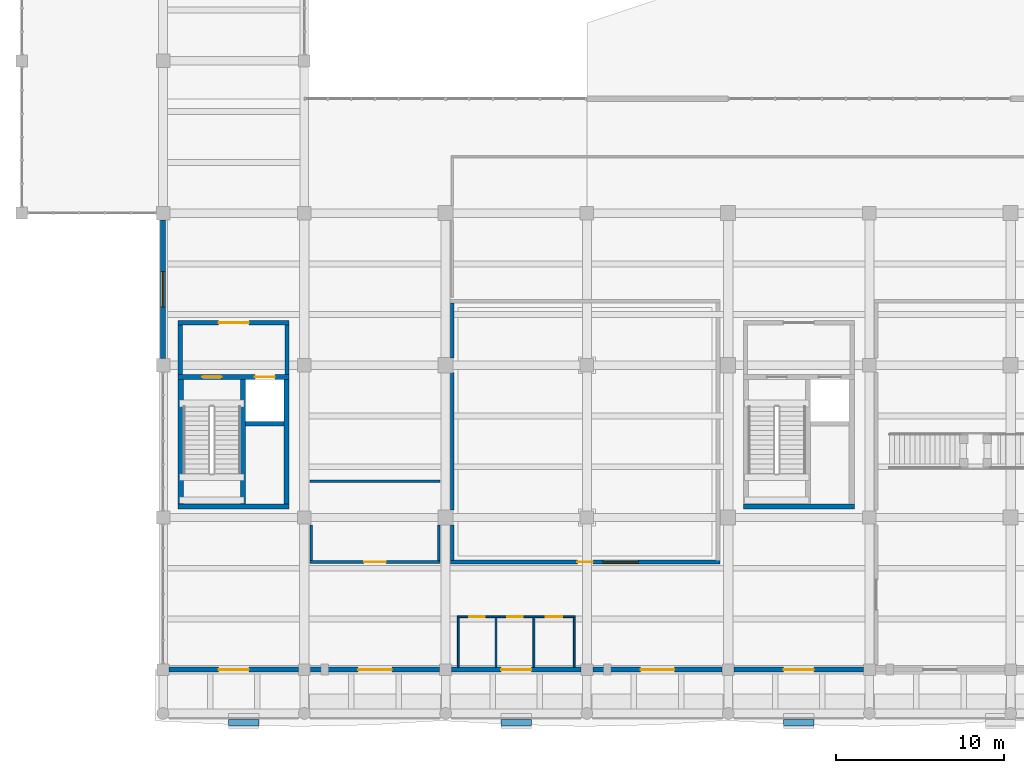
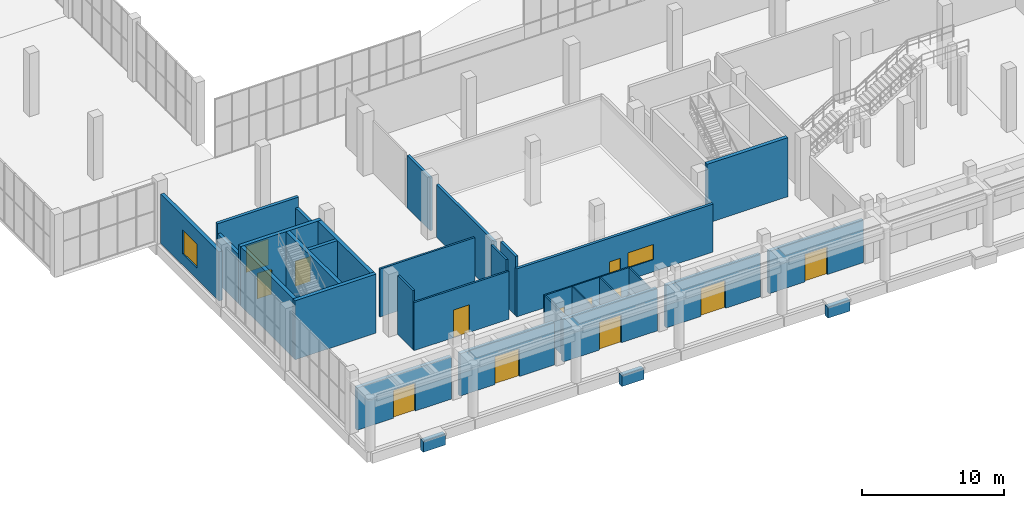
# One storey, part 76 of 91: 32 walls, 13 doors, 2 windows, 15 openings.
"""IFC4 building model written with IfcOpenShell, lengths in metres."""

from ifc_helpers import new_model, si_unit, direction, frame, frame_2d, origin, place, context, subcontext, project, spatial, rectangle, extrude, material, layer, layer_set, type_object, element, fill, save


model = new_model("IFC4")

# Units and contexts
model_context = context("Model", 3, precision=1e-05, world=origin(), true_north=direction((0.0, 1.0)))
body_context = subcontext(model_context, "Body", "Model", "MODEL_VIEW")
ifc_project = project(units=[si_unit("LENGTHUNIT", "METRE"), si_unit("AREAUNIT", "SQUARE_METRE"), si_unit("VOLUMEUNIT", "CUBIC_METRE"), si_unit("PLANEANGLEUNIT", "RADIAN"), si_unit("MASSUNIT", "GRAM", prefix="KILO")], contexts=[model_context])

# Site, building, storey
site_placement = place(None, origin())
site = spatial("IfcSite", under=ifc_project, at=site_placement, CompositionType="ELEMENT")
building_placement = place(site_placement, origin())
building = spatial("IfcBuilding", under=site, at=building_placement, Name="Khurvash Pelagic Aquarium", CompositionType="ELEMENT")
storey_placement = place(building_placement, origin())
storey = spatial("IfcBuildingStorey", under=building, at=storey_placement, Name="L00", CompositionType="ELEMENT", Elevation=0.0)

# Wall, opening, window
ifc_material_1 = material(Name="Precast concrete C40/50", Category="concrete")
ifc_layer_1 = layer(ifc_material_1, 0.300048828125)
ifc_layer_set_1 = layer_set([ifc_layer_1], Name="Precast concrete C40/50")
wall_type_1 = type_object("IfcWallType", Name="EW-300", PredefinedType="STANDARD", material=ifc_layer_set_1)
wall_1_placement = place(storey_placement, frame((25.199951171875, 29.344970703125, 0.0), z_axis=(0.0, 0.0, 1.0), x_axis=(0.0, -1.0, 0.0)))
wall_1 = element("IfcWall", 1, at=wall_1_placement, inside=storey, type_object=wall_type_1, Name="L00 Exterior Architectural Facade Wall EW-300 0003", PredefinedType="STANDARD", context=body_context, shape_type="SweptSolid", body=[
    extrude(rectangle(XDim=8.239990234375, YDim=0.300048828125, at=frame_2d((4.1201171875, 0.0))), origin(), (0.0, 0.0, 1.0), 4.239990234375),
])
opening_1_placement = place(wall_1_placement, frame((3.070068359375, 0.0, 0.949951171875)))
opening_1 = element("IfcOpeningElement", 2, at=opening_1_placement, cuts=wall_1, Name="Opening WN-04", PredefinedType="OPENING", context=body_context, shape_type="SweptSolid", body=[
    extrude(rectangle(XDim=2.10009765625, YDim=2.10009765625, at=frame_2d((1.050048828125, 1.050048828125))), frame((0.0, 0.16015625, 0.0), z_axis=(0.0, -1.0, 0.0), x_axis=(1.0, 0.0, 0.0)), (0.0, 0.0, 1.0), 0.320068359375),
])
ifc_material_2 = material(Name="Thermally broken aluminium and low-E glass", Category="aluminium")
window_type_1 = type_object("IfcWindowType", Name="WN-04", PartitioningType="SINGLE_PANEL", PredefinedType="WINDOW", material=ifc_material_2)
window_1_placement = place(opening_1_placement, origin())
window_1 = element("IfcWindow", 3, at=window_1_placement, inside=storey, type_object=window_type_1, Name="L00 Facade Window WN-04 0001", OverallHeight=2.10009765625, OverallWidth=2.10009765625, PartitioningType="SINGLE_PANEL", PredefinedType="WINDOW", context=body_context, shape_type="SweptSolid", body=[
    extrude(rectangle(XDim=2.10009765625, YDim=2.10009765625, at=frame_2d((1.050048828125, 1.050048828125))), frame((0.0, 0.030029296875, 0.0), z_axis=(0.0, -1.0, 0.0), x_axis=(1.0, 0.0, 0.0)), (0.0, 0.0, 1.0), 0.06005859375),
])
fill(opening_1, window_1)

# Wall, opening, door
wall_2_placement = place(storey_placement, frame((25.554931640625, 2.60009765625, 0.0), z_axis=(0.0, 0.0, 1.0), x_axis=(1.0, 0.0, 0.0)))
wall_2 = element("IfcWall", 4, at=wall_2_placement, inside=storey, type_object=wall_type_1, Name="L00 Exterior Architectural Facade Wall EW-300 0004", PredefinedType="STANDARD", context=body_context, shape_type="SweptSolid", body=[
    extrude(rectangle(XDim=7.690185546875, YDim=0.300048828125, at=frame_2d((3.84521484375, 0.0))), origin(), (0.0, 0.0, 1.0), 3.64990234375),
])
opening_2_placement = place(wall_2_placement, frame((2.945068359375, 0.0, 0.0)))
opening_2 = element("IfcOpeningElement", 5, at=opening_2_placement, cuts=wall_2, Name="Opening ED-01", PredefinedType="OPENING", context=body_context, shape_type="SweptSolid", body=[
    extrude(rectangle(XDim=1.800048828125, YDim=2.39990234375, at=frame_2d((0.89990234375, 1.199951171875))), frame((0.0, 0.16015625, 0.0), z_axis=(0.0, -1.0, 0.0), x_axis=(1.0, 0.0, 0.0)), (0.0, 0.0, 1.0), 0.320068359375),
])
ifc_material_3 = material(Name="Thermally broken glazed aluminium", Category="aluminium")
door_type_1 = type_object("IfcDoorType", Name="ED-01", OperationType="DOUBLE_DOOR_SINGLE_SWING", PredefinedType="DOOR", material=ifc_material_3)
door_1_placement = place(opening_2_placement, frame((1.800048828125, 0.0, 0.0), z_axis=(0.0, 0.0, 1.0), x_axis=(-1.0, 0.0, 0.0)))
door_1 = element("IfcDoor", 6, at=door_1_placement, inside=storey, type_object=door_type_1, Name="DR-0044", OperationType="DOUBLE_DOOR_SINGLE_SWING", OverallHeight=2.39990234375, OverallWidth=1.800048828125, PredefinedType="DOOR", context=body_context, shape_type="SweptSolid", body=[
    extrude(rectangle(XDim=1.800048828125, YDim=2.39990234375, at=frame_2d((0.89990234375, 1.199951171875))), frame((0.0, 0.02490234375, 0.0), z_axis=(0.0, -1.0, 0.0), x_axis=(1.0, 0.0, 0.0)), (0.0, 0.0, 1.0), 0.050048828125),
])
fill(opening_2, door_1)

wall_3_placement = place(storey_placement, frame((33.955078125, 2.60009765625, 0.0), z_axis=(0.0, 0.0, 1.0), x_axis=(1.0, 0.0, 0.0)))
wall_3 = element("IfcWall", 7, at=wall_3_placement, inside=storey, type_object=wall_type_1, Name="L00 Exterior Architectural Facade Wall EW-300 0005", PredefinedType="STANDARD", context=body_context, shape_type="SweptSolid", body=[
    extrude(rectangle(XDim=7.68994140625, YDim=0.300048828125, at=frame_2d((3.844970703125, 0.0))), origin(), (0.0, 0.0, 1.0), 3.64990234375),
])
opening_3_placement = place(wall_3_placement, frame((2.844970703125, 0.0, 0.0)))
opening_3 = element("IfcOpeningElement", 8, at=opening_3_placement, cuts=wall_3, Name="Opening ED-02", PredefinedType="OPENING", context=body_context, shape_type="SweptSolid", body=[
    extrude(rectangle(XDim=2.0, YDim=2.39990234375, at=frame_2d((1.0, 1.199951171875))), frame((0.0, 0.16015625, 0.0), z_axis=(0.0, -1.0, 0.0), x_axis=(1.0, 0.0, 0.0)), (0.0, 0.0, 1.0), 0.320068359375),
])
door_type_2 = type_object("IfcDoorType", Name="ED-02", OperationType="DOUBLE_DOOR_SINGLE_SWING", PredefinedType="DOOR", material=ifc_material_3)
door_2_placement = place(opening_3_placement, frame((2.0, 0.0, 0.0), z_axis=(0.0, 0.0, 1.0), x_axis=(-1.0, 0.0, 0.0)))
door_2 = element("IfcDoor", 9, at=door_2_placement, inside=storey, type_object=door_type_2, Name="DR-0045", OperationType="DOUBLE_DOOR_SINGLE_SWING", OverallHeight=2.39990234375, OverallWidth=2.0, PredefinedType="DOOR", context=body_context, shape_type="SweptSolid", body=[
    extrude(rectangle(XDim=2.0, YDim=2.39990234375, at=frame_2d((1.0, 1.199951171875))), frame((0.0, 0.02490234375, 0.0), z_axis=(0.0, -1.0, 0.0), x_axis=(1.0, 0.0, 0.0)), (0.0, 0.0, 1.0), 0.050048828125),
])
fill(opening_3, door_2)

wall_4_placement = place(storey_placement, frame((42.35498046875, 2.60009765625, 0.0), z_axis=(0.0, 0.0, 1.0), x_axis=(1.0, 0.0, 0.0)))
wall_4 = element("IfcWall", 10, at=wall_4_placement, inside=storey, type_object=wall_type_1, Name="L00 Exterior Architectural Facade Wall EW-300 0006", PredefinedType="STANDARD", context=body_context, shape_type="SweptSolid", body=[
    extrude(rectangle(XDim=7.68994140625, YDim=0.300048828125, at=frame_2d((3.844970703125, 0.0))), origin(), (0.0, 0.0, 1.0), 3.64990234375),
])
opening_4_placement = place(wall_4_placement, frame((2.945068359375, 0.0, 0.0)))
opening_4 = element("IfcOpeningElement", 11, at=opening_4_placement, cuts=wall_4, Name="Opening ED-01", PredefinedType="OPENING", context=body_context, shape_type="SweptSolid", body=[
    extrude(rectangle(XDim=1.800048828125, YDim=2.39990234375, at=frame_2d((0.89990234375, 1.199951171875))), frame((0.0, 0.16015625, 0.0), z_axis=(0.0, -1.0, 0.0), x_axis=(1.0, 0.0, 0.0)), (0.0, 0.0, 1.0), 0.320068359375),
])
door_3_placement = place(opening_4_placement, frame((1.800048828125, 0.0, 0.0), z_axis=(0.0, 0.0, 1.0), x_axis=(-1.0, 0.0, 0.0)))
door_3 = element("IfcDoor", 12, at=door_3_placement, inside=storey, type_object=door_type_1, Name="DR-0046", OperationType="DOUBLE_DOOR_SINGLE_SWING", OverallHeight=2.39990234375, OverallWidth=1.800048828125, PredefinedType="DOOR", context=body_context, shape_type="SweptSolid", body=[
    extrude(rectangle(XDim=1.800048828125, YDim=2.39990234375, at=frame_2d((0.89990234375, 1.199951171875))), frame((0.0, 0.02490234375, 0.0), z_axis=(0.0, -1.0, 0.0), x_axis=(1.0, 0.0, 0.0)), (0.0, 0.0, 1.0), 0.050048828125),
])
fill(opening_4, door_3)

wall_5_placement = place(storey_placement, frame((50.7548828125, 2.60009765625, 0.0), z_axis=(0.0, 0.0, 1.0), x_axis=(1.0, 0.0, 0.0)))
wall_5 = element("IfcWall", 13, at=wall_5_placement, inside=storey, type_object=wall_type_1, Name="L00 Exterior Architectural Facade Wall EW-300 0007", PredefinedType="STANDARD", context=body_context, shape_type="SweptSolid", body=[
    extrude(rectangle(XDim=7.690185546875, YDim=0.300048828125, at=frame_2d((3.84521484375, 0.0))), origin(), (0.0, 0.0, 1.0), 3.64990234375),
])
opening_5_placement = place(wall_5_placement, frame((2.844970703125, 0.0, 0.0)))
opening_5 = element("IfcOpeningElement", 14, at=opening_5_placement, cuts=wall_5, Name="Opening ED-02", PredefinedType="OPENING", context=body_context, shape_type="SweptSolid", body=[
    extrude(rectangle(XDim=2.0, YDim=2.39990234375, at=frame_2d((1.0, 1.199951171875))), frame((0.0, 0.16015625, 0.0), z_axis=(0.0, -1.0, 0.0), x_axis=(1.0, 0.0, 0.0)), (0.0, 0.0, 1.0), 0.320068359375),
])
door_4_placement = place(opening_5_placement, frame((2.0, 0.0, 0.0), z_axis=(0.0, 0.0, 1.0), x_axis=(-1.0, 0.0, 0.0)))
door_4 = element("IfcDoor", 15, at=door_4_placement, inside=storey, type_object=door_type_2, Name="DR-0047", OperationType="DOUBLE_DOOR_SINGLE_SWING", OverallHeight=2.39990234375, OverallWidth=2.0, PredefinedType="DOOR", context=body_context, shape_type="SweptSolid", body=[
    extrude(rectangle(XDim=2.0, YDim=2.39990234375, at=frame_2d((1.0, 1.199951171875))), frame((0.0, 0.02490234375, 0.0), z_axis=(0.0, -1.0, 0.0), x_axis=(1.0, 0.0, 0.0)), (0.0, 0.0, 1.0), 0.050048828125),
])
fill(opening_5, door_4)

wall_6_placement = place(storey_placement, frame((59.155029296875, 2.60009765625, 0.0), z_axis=(0.0, 0.0, 1.0), x_axis=(1.0, 0.0, 0.0)))
wall_6 = element("IfcWall", 16, at=wall_6_placement, inside=storey, type_object=wall_type_1, Name="L00 Exterior Architectural Facade Wall EW-300 0008", PredefinedType="STANDARD", context=body_context, shape_type="SweptSolid", body=[
    extrude(rectangle(XDim=7.68994140625, YDim=0.300048828125, at=frame_2d((3.844970703125, 0.0))), origin(), (0.0, 0.0, 1.0), 3.64990234375),
])
opening_6_placement = place(wall_6_placement, frame((2.945068359375, 0.0, 0.0)))
opening_6 = element("IfcOpeningElement", 17, at=opening_6_placement, cuts=wall_6, Name="Opening ED-01", PredefinedType="OPENING", context=body_context, shape_type="SweptSolid", body=[
    extrude(rectangle(XDim=1.800048828125, YDim=2.39990234375, at=frame_2d((0.89990234375, 1.199951171875))), frame((0.0, 0.16015625, 0.0), z_axis=(0.0, -1.0, 0.0), x_axis=(1.0, 0.0, 0.0)), (0.0, 0.0, 1.0), 0.320068359375),
])
door_5_placement = place(opening_6_placement, frame((1.800048828125, 0.0, 0.0), z_axis=(0.0, 0.0, 1.0), x_axis=(-1.0, 0.0, 0.0)))
door_5 = element("IfcDoor", 18, at=door_5_placement, inside=storey, type_object=door_type_1, Name="DR-0048", OperationType="DOUBLE_DOOR_SINGLE_SWING", OverallHeight=2.39990234375, OverallWidth=1.800048828125, PredefinedType="DOOR", context=body_context, shape_type="SweptSolid", body=[
    extrude(rectangle(XDim=1.800048828125, YDim=2.39990234375, at=frame_2d((0.89990234375, 1.199951171875))), frame((0.0, 0.02490234375, 0.0), z_axis=(0.0, -1.0, 0.0), x_axis=(1.0, 0.0, 0.0)), (0.0, 0.0, 1.0), 0.050048828125),
])
fill(opening_6, door_5)

# Wall, openings, doors
ifc_material_4 = material(Name="Ceramic-tiled wet-room partition", Category="masonry")
ifc_layer_2 = layer(ifc_material_4, 0.110107421875)
ifc_layer_set_2 = layer_set([ifc_layer_2], Name="Ceramic-tiled wet-room partition")
wall_type_2 = type_object("IfcWallType", Name="PW-110", PredefinedType="PARTITIONING", material=ifc_layer_set_2)
wall_7_placement = place(storey_placement, frame((42.695068359375, 5.75, 0.0), z_axis=(0.0, 0.0, 1.0), x_axis=(1.0, 0.0, 0.0)))
wall_7 = element("IfcWall", 19, at=wall_7_placement, inside=storey, type_object=wall_type_2, Name="L00 Restroom Bank Corridor Wall PW-110", PredefinedType="PARTITIONING", context=body_context, shape_type="SweptSolid", body=[
    extrude(rectangle(XDim=7.010009765625, YDim=0.110107421875, at=frame_2d((3.5048828125, 0.0))), origin(), (0.0, 0.0, 1.0), 3.64990234375),
])
opening_7_placement = place(wall_7_placement, frame((0.719970703125, 0.0, 0.0)))
opening_7 = element("IfcOpeningElement", 20, at=opening_7_placement, cuts=wall_7, Name="Opening ID-01", PredefinedType="OPENING", context=body_context, shape_type="SweptSolid", body=[
    extrude(rectangle(XDim=0.919921875, YDim=2.10009765625, at=frame_2d((0.4599609375, 1.050048828125))), frame((0.0, 0.06494140625, 0.0), z_axis=(0.0, -1.0, 0.0), x_axis=(1.0, 0.0, 0.0)), (0.0, 0.0, 1.0), 0.130126953125),
])
opening_8_placement = place(wall_7_placement, frame((2.969970703125, 0.0, 0.0)))
opening_8 = element("IfcOpeningElement", 21, at=opening_8_placement, cuts=wall_7, Name="Opening ID-01", PredefinedType="OPENING", context=body_context, shape_type="SweptSolid", body=[
    extrude(rectangle(XDim=0.919921875, YDim=2.10009765625, at=frame_2d((0.4599609375, 1.050048828125))), frame((0.0, 0.06494140625, 0.0), z_axis=(0.0, -1.0, 0.0), x_axis=(1.0, 0.0, 0.0)), (0.0, 0.0, 1.0), 0.130126953125),
])
opening_9_placement = place(wall_7_placement, frame((5.2548828125, 0.0, 0.0)))
opening_9 = element("IfcOpeningElement", 22, at=opening_9_placement, cuts=wall_7, Name="Opening ID-02", PredefinedType="OPENING", context=body_context, shape_type="SweptSolid", body=[
    extrude(rectangle(XDim=1.0, YDim=2.14990234375, at=frame_2d((0.5, 1.074951171875))), frame((0.0, 0.06494140625, 0.0), z_axis=(0.0, -1.0, 0.0), x_axis=(1.0, 0.0, 0.0)), (0.0, 0.0, 1.0), 0.130126953125),
])
ifc_material_5 = material(Name="High-pressure laminate solid-core timber", Category="wood")
door_type_3 = type_object("IfcDoorType", Name="ID-01", OperationType="NOTDEFINED", PredefinedType="DOOR", material=ifc_material_5)
door_6_placement = place(opening_7_placement, origin())
door_6 = element("IfcDoor", 23, at=door_6_placement, inside=storey, type_object=door_type_3, Name="DR-0063", OperationType="SINGLE_SWING_RIGHT", OverallHeight=2.10009765625, OverallWidth=0.919921875, PredefinedType="DOOR", context=body_context, shape_type="SweptSolid", body=[
    extrude(rectangle(XDim=0.919921875, YDim=2.10009765625, at=frame_2d((0.4599609375, 1.050048828125))), frame((0.0, 0.02490234375, 0.0), z_axis=(0.0, -1.0, 0.0), x_axis=(1.0, 0.0, 0.0)), (0.0, 0.0, 1.0), 0.050048828125),
])
fill(opening_7, door_6)
door_7_placement = place(opening_8_placement, origin())
door_7 = element("IfcDoor", 24, at=door_7_placement, inside=storey, type_object=door_type_3, Name="DR-0064", OperationType="SINGLE_SWING_LEFT", OverallHeight=2.10009765625, OverallWidth=0.919921875, PredefinedType="DOOR", context=body_context, shape_type="SweptSolid", body=[
    extrude(rectangle(XDim=0.919921875, YDim=2.10009765625, at=frame_2d((0.4599609375, 1.050048828125))), frame((0.0, 0.02490234375, 0.0), z_axis=(0.0, -1.0, 0.0), x_axis=(1.0, 0.0, 0.0)), (0.0, 0.0, 1.0), 0.050048828125),
])
fill(opening_8, door_7)
door_type_4 = type_object("IfcDoorType", Name="ID-02", OperationType="NOTDEFINED", PredefinedType="DOOR", material=ifc_material_5)
door_8_placement = place(opening_9_placement, origin())
door_8 = element("IfcDoor", 25, at=door_8_placement, inside=storey, type_object=door_type_4, Name="DR-0065", OperationType="SINGLE_SWING_RIGHT", OverallHeight=2.14990234375, OverallWidth=1.0, PredefinedType="DOOR", context=body_context, shape_type="SweptSolid", body=[
    extrude(rectangle(XDim=1.0, YDim=2.14990234375, at=frame_2d((0.5, 1.074951171875))), frame((0.0, 0.02490234375, 0.0), z_axis=(0.0, -1.0, 0.0), x_axis=(1.0, 0.0, 0.0)), (0.0, 0.0, 1.0), 0.050048828125),
])
fill(opening_9, door_8)

# Walls
for number, where, z_axis, x_axis, name in (
    (26, (42.75, 2.75, 0.0), (0.0, 0.0, 1.0), (0.0, 1.0, 0.0), "L00 Restroom Divider Partition PW-110"),
    (27, (45.0, 2.75, 0.0), (0.0, 0.0, 1.0), (0.0, 1.0, 0.0), "L00 Restroom Divider Partition PW-110"),
    (28, (47.25, 2.75, 0.0), (0.0, 0.0, 1.0), (0.0, 1.0, 0.0), "L00 Restroom Divider Partition PW-110"),
    (29, (49.64990234375, 2.75, 0.0), (0.0, 0.0, 1.0), (0.0, 1.0, 0.0), "L00 Restroom Divider Partition PW-110"),
):
    element("IfcWall", number, at=place(storey_placement, frame(where, z_axis=z_axis, x_axis=x_axis)), inside=storey, type_object=wall_type_2, Name=name, PredefinedType="PARTITIONING", context=body_context, shape_type="SweptSolid", body=[
        extrude(rectangle(XDim=2.945068359375, YDim=0.110107421875, at=frame_2d((1.47265625, 0.0))), origin(), (0.0, 0.0, 1.0), 3.64990234375),
    ])

# Wall, opening, door
ifc_material_6 = material(Name="AAC blockwork", Category="masonry")
ifc_layer_3 = layer(ifc_material_6, 0.155029296875)
ifc_layer_set_3 = layer_set([ifc_layer_3], Name="AAC blockwork")
wall_type_3 = type_object("IfcWallType", Name="PW-155", PredefinedType="PARTITIONING", material=ifc_layer_set_3)
wall_8_placement = place(storey_placement, frame((33.922119140625, 9.0, 0.0), z_axis=(0.0, 0.0, 1.0), x_axis=(1.0, 0.0, 0.0)))
wall_8 = element("IfcWall", 30, at=wall_8_placement, inside=storey, type_object=wall_type_3, Name="L00 Fire Command Centre Partition Wall PW-155", PredefinedType="PARTITIONING", context=body_context, shape_type="SweptSolid", body=[
    extrude(rectangle(XDim=7.755859375, YDim=0.155029296875, at=frame_2d((3.8779296875, 0.0))), origin(), (0.0, 0.0, 1.0), 4.139892578125),
])
opening_10_placement = place(wall_8_placement, frame((3.22802734375, 0.0, 0.0)))
opening_10 = element("IfcOpeningElement", 31, at=opening_10_placement, cuts=wall_8, Name="Opening ID-42", PredefinedType="OPENING", context=body_context, shape_type="SweptSolid", body=[
    extrude(rectangle(XDim=1.300048828125, YDim=2.3798828125, at=frame_2d((0.64990234375, 1.18994140625))), frame((0.0, 0.08740234375, 0.0), z_axis=(0.0, -1.0, 0.0), x_axis=(1.0, 0.0, 0.0)), (0.0, 0.0, 1.0), 0.175048828125),
])
ifc_material_7 = material(Name="FRP necropsy lab door", Category="wood")
door_type_5 = type_object("IfcDoorType", Name="ID-42", OperationType="NOTDEFINED", PredefinedType="DOOR", material=ifc_material_7)
door_9_placement = place(opening_10_placement, origin())
door_9 = element("IfcDoor", 32, at=door_9_placement, inside=storey, type_object=door_type_5, Name="DR-0066", OperationType="SINGLE_SWING_RIGHT", OverallHeight=2.3798828125, OverallWidth=1.300048828125, PredefinedType="DOOR", context=body_context, shape_type="SweptSolid", body=[
    extrude(rectangle(XDim=1.300048828125, YDim=2.3798828125, at=frame_2d((0.64990234375, 1.18994140625))), frame((0.0, 0.02490234375, 0.0), z_axis=(0.0, -1.0, 0.0), x_axis=(1.0, 0.0, 0.0)), (0.0, 0.0, 1.0), 0.050048828125),
])
fill(opening_10, door_9)

# Walls
wall_9_placement = place(storey_placement, frame((33.922119140625, 13.800048828125, 0.0), z_axis=(0.0, 0.0, 1.0), x_axis=(1.0, 0.0, 0.0)))
element("IfcWall", 33, at=wall_9_placement, inside=storey, type_object=wall_type_3, Name="L00 Fire Command Centre Partition Wall PW-155", PredefinedType="PARTITIONING", context=body_context, shape_type="SweptSolid", body=[
    extrude(rectangle(XDim=7.755859375, YDim=0.155029296875, at=frame_2d((3.8779296875, 0.0))), origin(), (0.0, 0.0, 1.0), 4.139892578125),
])
for number, where, z_axis, x_axis, name in (
    (34, (41.60009765625, 9.077880859375, 0.0), (0.0, 0.0, 1.0), (0.0, 1.0, 0.0), "L00 Fire Command Centre Partition Wall PW-155"),
    (35, (34.0, 9.077880859375, 0.0), (0.0, 0.0, 1.0), (0.0, 1.0, 0.0), "L00 Fire Command Centre Partition Wall PW-155"),
):
    element("IfcWall", number, at=place(storey_placement, frame(where, z_axis=z_axis, x_axis=x_axis)), inside=storey, type_object=wall_type_3, Name=name, PredefinedType="PARTITIONING", context=body_context, shape_type="SweptSolid", body=[
        extrude(rectangle(XDim=2.132080078125, YDim=0.155029296875, at=frame_2d((1.06591796875, 0.0))), origin(), (0.0, 0.0, 1.0), 5.090087890625),
    ])

# Wall, openings, door, window
ifc_layer_4 = layer(ifc_material_6, 0.215087890625)
ifc_layer_set_4 = layer_set([ifc_layer_4], Name="AAC blockwork")
wall_type_4 = type_object("IfcWallType", Name="PW-215", PredefinedType="PARTITIONING", material=ifc_layer_set_4)
wall_10_placement = place(storey_placement, frame((42.2919921875, 9.0, 0.0), z_axis=(0.0, 0.0, 1.0), x_axis=(1.0, 0.0, 0.0)))
wall_10 = element("IfcWall", 36, at=wall_10_placement, inside=storey, type_object=wall_type_4, Name="L00 Aquarium Conservation Shop Partition Wall PW-215", PredefinedType="PARTITIONING", context=body_context, shape_type="SweptSolid", body=[
    extrude(rectangle(XDim=16.01611328125, YDim=0.215087890625, at=frame_2d((8.008056640625, 0.0))), origin(), (0.0, 0.0, 1.0), 4.139892578125),
])
opening_11_placement = place(wall_10_placement, frame((7.548095703125, 0.0, 0.0)))
opening_11 = element("IfcOpeningElement", 37, at=opening_11_placement, cuts=wall_10, Name="Opening ID-01", PredefinedType="OPENING", context=body_context, shape_type="SweptSolid", body=[
    extrude(rectangle(XDim=0.919921875, YDim=2.10009765625, at=frame_2d((0.4599609375, 1.050048828125))), frame((0.0, 0.11767578125, 0.0), z_axis=(0.0, -1.0, 0.0), x_axis=(1.0, 0.0, 0.0)), (0.0, 0.0, 1.0), 0.235107421875),
])
opening_12_placement = place(wall_10_placement, frame((9.068115234375, 0.0, 1.050048828125)))
opening_12 = element("IfcOpeningElement", 38, at=opening_12_placement, cuts=wall_10, Name="Opening IW-03", PredefinedType="OPENING", context=body_context, shape_type="SweptSolid", body=[
    extrude(rectangle(XDim=2.10009765625, YDim=1.300048828125, at=frame_2d((1.050048828125, 0.64990234375))), frame((0.0, 0.11767578125, 0.0), z_axis=(0.0, -1.0, 0.0), x_axis=(1.0, 0.0, 0.0)), (0.0, 0.0, 1.0), 0.235107421875),
])
door_10_placement = place(opening_11_placement, origin())
door_10 = element("IfcDoor", 39, at=door_10_placement, inside=storey, type_object=door_type_3, Name="DR-0068", OperationType="SINGLE_SWING_LEFT", OverallHeight=2.10009765625, OverallWidth=0.919921875, PredefinedType="DOOR", context=body_context, shape_type="SweptSolid", body=[
    extrude(rectangle(XDim=0.919921875, YDim=2.10009765625, at=frame_2d((0.4599609375, 1.050048828125))), frame((0.0, 0.02490234375, 0.0), z_axis=(0.0, -1.0, 0.0), x_axis=(1.0, 0.0, 0.0)), (0.0, 0.0, 1.0), 0.050048828125),
])
fill(opening_11, door_10)
ifc_material_8 = material(Name="Acoustic laminated interior observation glazing", Category="glass")
window_type_2 = type_object("IfcWindowType", Name="IW-03", PartitioningType="SINGLE_PANEL", PredefinedType="WINDOW", material=ifc_material_8)
window_2_placement = place(opening_12_placement, origin())
window_2 = element("IfcWindow", 40, at=window_2_placement, inside=storey, type_object=window_type_2, Name="L00 Aquarium Conservation Shop Observation Window IW-03", OverallHeight=1.300048828125, OverallWidth=2.10009765625, PartitioningType="SINGLE_PANEL", PredefinedType="WINDOW", context=body_context, shape_type="SweptSolid", body=[
    extrude(rectangle(XDim=2.10009765625, YDim=1.300048828125, at=frame_2d((1.050048828125, 0.64990234375))), frame((0.0, 0.030029296875, 0.0), z_axis=(0.0, -1.0, 0.0), x_axis=(1.0, 0.0, 0.0)), (0.0, 0.0, 1.0), 0.06005859375),
])
fill(opening_12, window_2)

# Walls
wall_11_placement = place(storey_placement, frame((42.39990234375, 9.10693359375, 0.0), z_axis=(0.0, 0.0, 1.0), x_axis=(0.0, 1.0, 0.0)))
element("IfcWall", 41, at=wall_11_placement, inside=storey, type_object=wall_type_4, Name="L00 Aquarium Conservation Shop Partition Wall PW-215", PredefinedType="PARTITIONING", context=body_context, shape_type="SweptSolid", body=[
    extrude(rectangle(XDim=2.10302734375, YDim=0.215087890625, at=frame_2d((1.051513671875, 0.0))), origin(), (0.0, 0.0, 1.0), 5.090087890625),
])
wall_12_placement = place(storey_placement, frame((42.39990234375, 12.090087890625, 0.0), z_axis=(0.0, 0.0, 1.0), x_axis=(0.0, 1.0, 0.0)))
element("IfcWall", 42, at=wall_12_placement, inside=storey, type_object=wall_type_4, Name="L00 Aquarium Conservation Shop Partition Wall PW-215", PredefinedType="PARTITIONING", context=body_context, shape_type="SweptSolid", body=[
    extrude(rectangle(XDim=8.169921875, YDim=0.215087890625, at=frame_2d((4.0849609375, 0.0))), origin(), (0.0, 0.0, 1.0), 4.5400390625),
])
wall_13_placement = place(storey_placement, frame((42.39990234375, 21.139892578125, 0.0), z_axis=(0.0, 0.0, 1.0), x_axis=(0.0, 1.0, 0.0)))
element("IfcWall", 43, at=wall_13_placement, inside=storey, type_object=wall_type_4, Name="L00 Aquarium Conservation Shop Partition Wall PW-215", PredefinedType="PARTITIONING", context=body_context, shape_type="SweptSolid", body=[
    extrude(rectangle(XDim=3.252197265625, YDim=0.215087890625, at=frame_2d((1.6259765625, 0.0))), origin(), (0.0, 0.0, 1.0), 4.5400390625),
])

# Wall, opening, door
ifc_layer_5 = layer(ifc_material_6, 0.25)
ifc_layer_set_5 = layer_set([ifc_layer_5], Name="AAC blockwork")
wall_type_5 = type_object("IfcWallType", Name="PW-250", PredefinedType="PARTITIONING", material=ifc_layer_set_5)
wall_14_placement = place(storey_placement, frame((26.10009765625, 23.22509765625, 0.0), z_axis=(0.0, 0.0, 1.0), x_axis=(1.0, 0.0, 0.0)))
wall_14 = element("IfcWall", 44, at=wall_14_placement, inside=storey, type_object=wall_type_5, Name="L00 Core C1 Lobby Front Fire Wall PW-250", PredefinedType="PARTITIONING", context=body_context, shape_type="SweptSolid", body=[
    extrude(rectangle(XDim=6.599853515625, YDim=0.25, at=frame_2d((3.2998046875, 0.0))), origin(), (0.0, 0.0, 1.0), 5.090087890625),
])
opening_13_placement = place(wall_14_placement, frame((2.39990234375, 0.0, 0.0)))
opening_13 = element("IfcOpeningElement", 45, at=opening_13_placement, cuts=wall_14, Name="Opening FD-02", PredefinedType="OPENING", context=body_context, shape_type="SweptSolid", body=[
    extrude(rectangle(XDim=1.800048828125, YDim=2.25, at=frame_2d((0.89990234375, 1.125))), frame((0.0, 0.135009765625, 0.0), z_axis=(0.0, -1.0, 0.0), x_axis=(1.0, 0.0, 0.0)), (0.0, 0.0, 1.0), 0.27001953125),
])
ifc_material_9 = material(Name="Galvanised steel double fire door", Category="steel")
door_type_6 = type_object("IfcDoorType", Name="FD-02", OperationType="DOUBLE_DOOR_SINGLE_SWING", PredefinedType="DOOR", material=ifc_material_9)
door_11_placement = place(opening_13_placement, origin())
door_11 = element("IfcDoor", 46, at=door_11_placement, inside=storey, type_object=door_type_6, Name="DR-0084", OperationType="DOUBLE_DOOR_SINGLE_SWING", OverallHeight=2.25, OverallWidth=1.800048828125, PredefinedType="DOOR", context=body_context, shape_type="SweptSolid", body=[
    extrude(rectangle(XDim=1.800048828125, YDim=2.25, at=frame_2d((0.89990234375, 1.125))), frame((0.0, 0.02490234375, 0.0), z_axis=(0.0, -1.0, 0.0), x_axis=(1.0, 0.0, 0.0)), (0.0, 0.0, 1.0), 0.050048828125),
])
fill(opening_13, door_11)

# Walls
for number, where, z_axis, x_axis, name in (
    (47, (26.22509765625, 20.14990234375, 0.0), (0.0, 0.0, 1.0), (0.0, 1.0, 0.0), "L00 Core C1 Lobby West Fire Wall PW-250"),
    (48, (32.574951171875, 20.14990234375, 0.0), (0.0, 0.0, 1.0), (0.0, 1.0, 0.0), "L00 Core C1 Lobby East Fire Wall PW-250"),
):
    element("IfcWall", number, at=place(storey_placement, frame(where, z_axis=z_axis, x_axis=x_axis)), inside=storey, type_object=wall_type_5, Name=name, PredefinedType="PARTITIONING", context=body_context, shape_type="SweptSolid", body=[
        extrude(rectangle(XDim=2.9501953125, YDim=0.25, at=frame_2d((1.47509765625, 0.0))), origin(), (0.0, 0.0, 1.0), 4.22998046875),
    ])
ifc_material_10 = material(Name="Concrete C40/50", Category="concrete")
ifc_layer_6 = layer(ifc_material_10, 0.27490234375)
ifc_layer_set_6 = layer_set([ifc_layer_6], Name="Concrete C40/50")
wall_type_6 = type_object("IfcWallType", Name="SW-275", PredefinedType="SHEAR", material=ifc_layer_set_6)
wall_15_placement = place(storey_placement, frame((30.10009765625, 17.212890625, 0.0), z_axis=(0.0, 0.0, 1.0), x_axis=(1.0, 0.0, 0.0)))
element("IfcWall", 49, at=wall_15_placement, inside=storey, type_object=wall_type_6, Name="L00 Lift FL-01 Shaft Rear Shear Wall SW-275", PredefinedType="SHEAR", context=body_context, shape_type="SweptSolid", body=[
    extrude(rectangle(XDim=2.2998046875, YDim=0.27490234375, at=frame_2d((1.14990234375, 0.0))), origin(), (0.0, 0.0, 1.0), 5.090087890625),
])
ifc_layer_7 = layer(ifc_material_10, 0.300048828125)
ifc_layer_set_7 = layer_set([ifc_layer_7], Name="Concrete C40/50")
wall_type_7 = type_object("IfcWallType", Name="SW-300", PredefinedType="SHEAR", material=ifc_layer_set_7)
wall_16_placement = place(storey_placement, frame((26.10009765625, 12.300048828125, 0.0), z_axis=(0.0, 0.0, 1.0), x_axis=(1.0, 0.0, 0.0)))
element("IfcWall", 50, at=wall_16_placement, inside=storey, type_object=wall_type_7, Name="L00 Core C1 South Shear Wall SW-300", PredefinedType="SHEAR", context=body_context, shape_type="SweptSolid", body=[
    extrude(rectangle(XDim=6.599853515625, YDim=0.300048828125, at=frame_2d((3.2998046875, 0.0))), origin(), (0.0, 0.0, 1.0), 5.090087890625),
])

# Wall, openings, doors
wall_17_placement = place(storey_placement, frame((26.10009765625, 20.0, 0.0), z_axis=(0.0, 0.0, 1.0), x_axis=(1.0, 0.0, 0.0)))
wall_17 = element("IfcWall", 51, at=wall_17_placement, inside=storey, type_object=wall_type_7, Name="L00 Core C1 North Shear Wall SW-300", PredefinedType="SHEAR", context=body_context, shape_type="SweptSolid", body=[
    extrude(rectangle(XDim=6.599853515625, YDim=0.300048828125, at=frame_2d((3.2998046875, 0.0))), origin(), (0.0, 0.0, 1.0), 5.090087890625),
])
opening_14_placement = place(wall_17_placement, frame((1.425048828125, 0.0, 0.0)))
opening_14 = element("IfcOpeningElement", 52, at=opening_14_placement, cuts=wall_17, Name="Opening FD-01", PredefinedType="OPENING", context=body_context, shape_type="SweptSolid", body=[
    extrude(rectangle(XDim=1.14990234375, YDim=2.199951171875, at=frame_2d((0.574951171875, 1.10009765625))), frame((0.0, 0.16015625, 0.0), z_axis=(0.0, -1.0, 0.0), x_axis=(1.0, 0.0, 0.0)), (0.0, 0.0, 1.0), 0.320068359375),
])
opening_15_placement = place(wall_17_placement, frame((4.550048828125, 0.0, 0.0)))
opening_15 = element("IfcOpeningElement", 53, at=opening_15_placement, cuts=wall_17, Name="Opening LD-01", PredefinedType="OPENING", context=body_context, shape_type="SweptSolid", body=[
    extrude(rectangle(XDim=1.199951171875, YDim=2.14990234375, at=frame_2d((0.60009765625, 1.074951171875))), frame((0.0, 0.16015625, 0.0), z_axis=(0.0, -1.0, 0.0), x_axis=(1.0, 0.0, 0.0)), (0.0, 0.0, 1.0), 0.320068359375),
])
ifc_material_11 = material(Name="Galvanised steel fire door", Category="steel")
door_type_7 = type_object("IfcDoorType", Name="FD-01", OperationType="NOTDEFINED", PredefinedType="DOOR", material=ifc_material_11)
door_12_placement = place(opening_14_placement, origin())
door_12 = element("IfcDoor", 54, at=door_12_placement, inside=storey, type_object=door_type_7, Name="DR-0032", OperationType="SINGLE_SWING_RIGHT", OverallHeight=2.199951171875, OverallWidth=1.14990234375, PredefinedType="DOOR", context=body_context, shape_type="SweptSolid", body=[
    extrude(rectangle(XDim=1.14990234375, YDim=2.199951171875, at=frame_2d((0.574951171875, 1.10009765625))), frame((0.0, 0.02490234375, 0.0), z_axis=(0.0, -1.0, 0.0), x_axis=(1.0, 0.0, 0.0)), (0.0, 0.0, 1.0), 0.050048828125),
])
fill(opening_14, door_12)
ifc_material_12 = material(Name="Brushed stainless steel 316 lift landing door", Category="steel")
door_type_8 = type_object("IfcDoorType", Name="LD-01", OperationType="DOUBLE_DOOR_SLIDING", PredefinedType="DOOR", material=ifc_material_12)
door_13_placement = place(opening_15_placement, origin())
door_13 = element("IfcDoor", 55, at=door_13_placement, inside=storey, type_object=door_type_8, Name="DR-0038", OperationType="DOUBLE_DOOR_SLIDING", OverallHeight=2.14990234375, OverallWidth=1.199951171875, PredefinedType="DOOR", context=body_context, shape_type="SweptSolid", body=[
    extrude(rectangle(XDim=1.199951171875, YDim=2.14990234375, at=frame_2d((0.60009765625, 1.074951171875))), frame((0.0, 0.02490234375, 0.0), z_axis=(0.0, -1.0, 0.0), x_axis=(1.0, 0.0, 0.0)), (0.0, 0.0, 1.0), 0.050048828125),
])
fill(opening_15, door_13)

# Walls
for number, where, z_axis, x_axis, name in (
    (56, (26.25, 12.449951171875, 0.0), (0.0, 0.0, 1.0), (0.0, 1.0, 0.0), "L00 Core C1 West Shear Wall SW-300"),
    (57, (32.550048828125, 12.449951171875, 0.0), (0.0, 0.0, 1.0), (0.0, 1.0, 0.0), "L00 Core C1 East Shear Wall SW-300"),
    (58, (29.949951171875, 12.449951171875, 0.0), (0.0, 0.0, 1.0), (0.0, 1.0, 0.0), "L00 Core C1 Divider Shear Wall SW-300"),
):
    element("IfcWall", number, at=place(storey_placement, frame(where, z_axis=z_axis, x_axis=x_axis)), inside=storey, type_object=wall_type_7, Name=name, PredefinedType="SHEAR", context=body_context, shape_type="SweptSolid", body=[
        extrude(rectangle(XDim=7.400146484375, YDim=0.300048828125, at=frame_2d((3.7001953125, 0.0))), origin(), (0.0, 0.0, 1.0), 5.090087890625),
    ])
wall_18_placement = place(storey_placement, frame((59.699951171875, 12.300048828125, 0.0), z_axis=(0.0, 0.0, 1.0), x_axis=(1.0, 0.0, 0.0)))
element("IfcWall", 59, at=wall_18_placement, inside=storey, type_object=wall_type_7, Name="L00 Core C2 South Shear Wall SW-300", PredefinedType="SHEAR", context=body_context, shape_type="SweptSolid", body=[
    extrude(rectangle(XDim=6.60009765625, YDim=0.300048828125, at=frame_2d((3.300048828125, 0.0))), origin(), (0.0, 0.0, 1.0), 5.090087890625),
])
ifc_material_13 = material(Name="Water-retaining concrete C40/50", Category="concrete")
ifc_layer_8 = layer(ifc_material_13, 0.39990234375)
ifc_layer_set_8 = layer_set([ifc_layer_8], Name="Water-retaining concrete C40/50")
wall_type_8 = type_object("IfcWallType", Name="TW-400", PredefinedType="SOLIDWALL", material=ifc_layer_set_8)
wall_19_placement = place(storey_placement, frame((29.10009765625, -0.550048828125, -1.199951171875), z_axis=(0.0, 0.0, 1.0), x_axis=(1.0, 0.0, 0.0)))
element("IfcWall", 60, at=wall_19_placement, inside=storey, type_object=wall_type_8, Name="L00 Boulevard West Arcade Accessible Ramp Sleeper Plinth Wall TW-400", PredefinedType="SOLIDWALL", context=body_context, shape_type="SweptSolid", body=[
    extrude(rectangle(XDim=1.7998046875, YDim=0.39990234375, at=frame_2d((0.89990234375, 0.0))), origin(), (0.0, 0.0, 1.0), 0.925048828125),
])
wall_20_placement = place(storey_placement, frame((45.300048828125, -0.550048828125, -1.199951171875), z_axis=(0.0, 0.0, 1.0), x_axis=(1.0, 0.0, 0.0)))
element("IfcWall", 61, at=wall_20_placement, inside=storey, type_object=wall_type_8, Name="L00 Ticketing Concourse Accessible Ramp Sleeper Plinth Wall TW-400", PredefinedType="SOLIDWALL", context=body_context, shape_type="SweptSolid", body=[
    extrude(rectangle(XDim=1.800048828125, YDim=0.39990234375, at=frame_2d((0.89990234375, 0.0))), origin(), (0.0, 0.0, 1.0), 0.925048828125),
])
wall_21_placement = place(storey_placement, frame((62.10009765625, -0.550048828125, -1.199951171875), z_axis=(0.0, 0.0, 1.0), x_axis=(1.0, 0.0, 0.0)))
element("IfcWall", 62, at=wall_21_placement, inside=storey, type_object=wall_type_8, Name="L00 Central Arcade Accessible Ramp Sleeper Plinth Wall TW-400", PredefinedType="SOLIDWALL", context=body_context, shape_type="SweptSolid", body=[
    extrude(rectangle(XDim=1.7998046875, YDim=0.39990234375, at=frame_2d((0.89990234375, 0.0))), origin(), (0.0, 0.0, 1.0), 0.925048828125),
])

save(model, "model.ifc")
